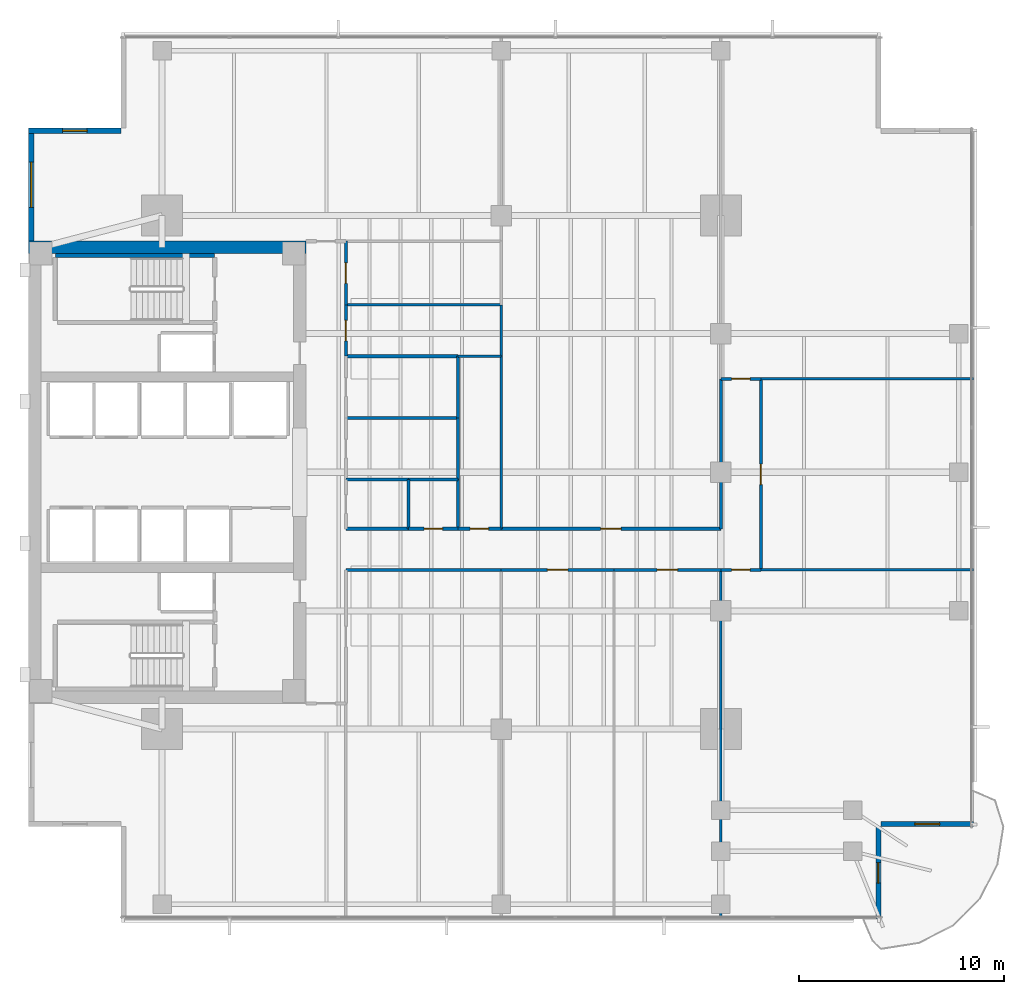
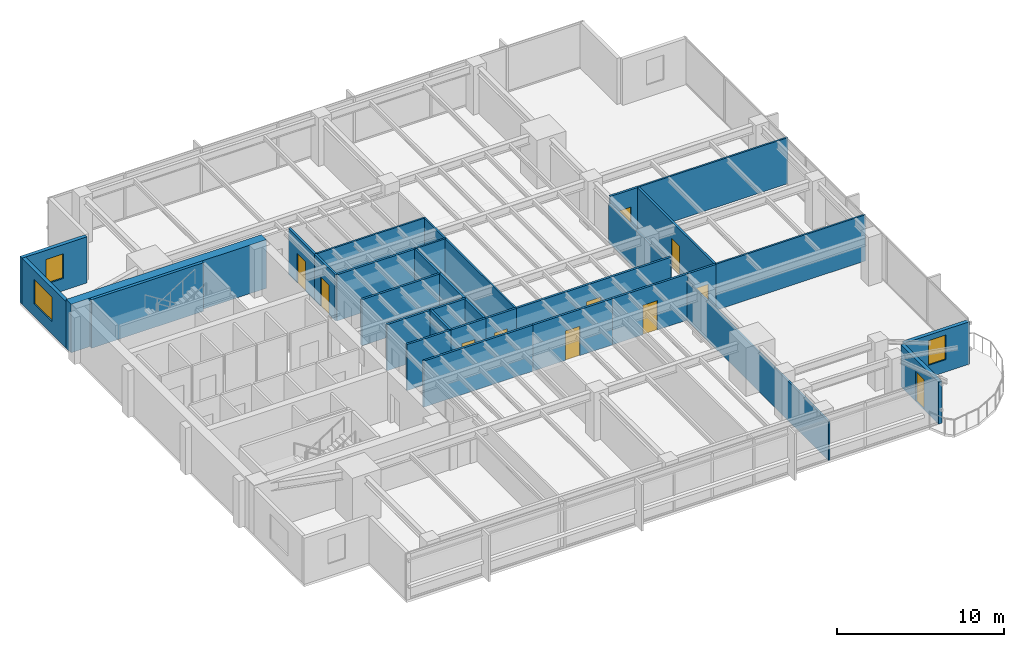
# One storey, part 9 of 15: 34 walls, 11 doors, 3 windows, 14 openings.
"""IFC4 building model written with IfcOpenShell, lengths in metres."""

from ifc_helpers import new_model, si_unit, direction, frame, frame_2d, origin, place, context, subcontext, project, spatial, rectangle, extrude, material, layer, layer_set, type_object, element, fill, save


model = new_model("IFC4")

# Units and contexts
model_context = context("Model", 3, precision=1e-05, world=origin(), true_north=direction((0.0, 1.0)))
body_context = subcontext(model_context, "Body", "Model", "MODEL_VIEW")
ifc_project = project(units=[si_unit("LENGTHUNIT", "METRE"), si_unit("AREAUNIT", "SQUARE_METRE"), si_unit("VOLUMEUNIT", "CUBIC_METRE"), si_unit("PLANEANGLEUNIT", "RADIAN"), si_unit("MASSUNIT", "GRAM", prefix="KILO")], contexts=[model_context])

# Site, building, storey
site_placement = place(None, origin())
site = spatial("IfcSite", under=ifc_project, at=site_placement, CompositionType="ELEMENT")
building_placement = place(site_placement, origin())
building = spatial("IfcBuilding", under=site, at=building_placement, Name="Kinhvarn Gate Tower", CompositionType="ELEMENT")
storey_placement = place(building_placement, frame((0.0, 0.0, 105.800048828125)))
storey = spatial("IfcBuildingStorey", under=building, at=storey_placement, Name="L27", CompositionType="ELEMENT", Elevation=105.800048828125)

# Wall
ifc_material_1 = material(Name="Concrete C60/75", Category="concrete")
ifc_layer_1 = layer(ifc_material_1, 0.60009765625)
ifc_layer_set_1 = layer_set([ifc_layer_1], Name="Concrete C60/75")
wall_type_1 = type_object("IfcWallType", Name="WL-CORE-600", PredefinedType="SHEAR", material=ifc_layer_set_1)
wall_1_placement = place(storey_placement, frame((4.5, 36.199951171875, 0.0), z_axis=(0.0, 0.0, 1.0), x_axis=(1.0, 0.0, 0.0)))
element("IfcWall", 1, at=wall_1_placement, inside=storey, type_object=wall_type_1, Name="Core North Shear Wall L27 600 mm", PredefinedType="SHEAR", context=body_context, shape_type="SweptSolid", body=[
    extrude(rectangle(XDim=13.5, YDim=0.60009765625, at=frame_2d((6.75, 0.0))), origin(), (0.0, 0.0, 1.0), 3.550048828125),
])

# Wall, opening, window
ifc_material_2 = material(Name="Fired architectural terracotta", Category="masonry")
ifc_layer_2 = layer(ifc_material_2, 0.25)
ifc_layer_set_2 = layer_set([ifc_layer_2], Name="Fired architectural terracotta")
wall_type_2 = type_object("IfcWallType", Name="WL-EXT-250", PredefinedType="SOLIDWALL", material=ifc_layer_set_2)
wall_2_placement = place(storey_placement, frame((4.625, 42.0, 0.0), z_axis=(0.0, 0.0, 1.0), x_axis=(0.0, -1.0, 0.0)))
wall_2 = element("IfcWall", 2, at=wall_2_placement, inside=storey, type_object=wall_type_2, Name="Exterior Solidwall Wall EW-250 (L27 West-North)", PredefinedType="SOLIDWALL", context=body_context, shape_type="SweptSolid", body=[
    extrude(rectangle(XDim=5.5, YDim=0.25, at=frame_2d((2.75, 0.0))), origin(), (0.0, 0.0, 1.0), 3.369873046875),
])
opening_1_placement = place(wall_2_placement, frame((1.64990234375, 0.0, 0.89990234375)))
opening_1 = element("IfcOpeningElement", 3, at=opening_1_placement, cuts=wall_2, Name="Opening WN-01", PredefinedType="OPENING", context=body_context, shape_type="SweptSolid", body=[
    extrude(rectangle(XDim=2.199951171875, YDim=1.800048828125, at=frame_2d((1.10009765625, 0.89990234375))), frame((0.0, 0.135009765625, 0.0), z_axis=(0.0, -1.0, 0.0), x_axis=(1.0, 0.0, 0.0)), (0.0, 0.0, 1.0), 0.27001953125),
])
ifc_material_3 = material(Name="Clear low-e double glazing", Category="glass")
window_type_1 = type_object("IfcWindowType", Name="WIN-RIB-2200", PartitioningType="SINGLE_PANEL", PredefinedType="WINDOW", material=ifc_material_3)
window_1_placement = place(opening_1_placement, origin())
window_1 = element("IfcWindow", 4, at=window_1_placement, inside=storey, type_object=window_type_1, Name="West Flank Double-Glazed Ribbon Window 2200x1800 mm (L27)", OverallHeight=1.800048828125, OverallWidth=2.199951171875, PartitioningType="SINGLE_PANEL", PredefinedType="WINDOW", context=body_context, shape_type="SweptSolid", body=[
    extrude(rectangle(XDim=2.199951171875, YDim=1.800048828125, at=frame_2d((1.10009765625, 0.89990234375))), frame((0.0, 0.030029296875, 0.0), z_axis=(0.0, -1.0, 0.0), x_axis=(1.0, 0.0, 0.0)), (0.0, 0.0, 1.0), 0.06005859375),
])
fill(opening_1, window_1)

# Wall, opening, door
wall_3_placement = place(storey_placement, frame((45.875, 3.5, 0.0), z_axis=(0.0, 0.0, 1.0), x_axis=(0.0, 1.0, 0.0)))
wall_3 = element("IfcWall", 5, at=wall_3_placement, inside=storey, type_object=wall_type_2, Name="Exterior Solidwall Wall EW-250 (L27 SE-Notch-Door)", PredefinedType="SOLIDWALL", context=body_context, shape_type="SweptSolid", body=[
    extrude(rectangle(XDim=4.5, YDim=0.25, at=frame_2d((2.25, 0.0))), origin(), (0.0, 0.0, 1.0), 3.070068359375),
])
opening_2_placement = place(wall_3_placement, frame((1.75, 0.0, 0.0)))
opening_2 = element("IfcOpeningElement", 6, at=opening_2_placement, cuts=wall_3, Name="Opening BD-01", PredefinedType="OPENING", context=body_context, shape_type="SweptSolid", body=[
    extrude(rectangle(XDim=1.0, YDim=2.199951171875, at=frame_2d((0.5, 1.10009765625))), frame((0.0, 0.135009765625, 0.0), z_axis=(0.0, -1.0, 0.0), x_axis=(1.0, 0.0, 0.0)), (0.0, 0.0, 1.0), 0.27001953125),
])
door_type_1 = type_object("IfcDoorType", Name="DR-BAL-1000", OperationType="NOTDEFINED", PredefinedType="DOOR", material=ifc_material_3)
door_1_placement = place(opening_2_placement, frame((1.0, 0.0, 0.0), z_axis=(0.0, 0.0, 1.0), x_axis=(-1.0, 0.0, 0.0)))
door_1 = element("IfcDoor", 7, at=door_1_placement, inside=storey, type_object=door_type_1, Name="S-Carve Balcony Door BD-01 (L27)", OperationType="SINGLE_SWING_LEFT", OverallHeight=2.199951171875, OverallWidth=1.0, PredefinedType="DOOR", context=body_context, shape_type="SweptSolid", body=[
    extrude(rectangle(XDim=1.0, YDim=2.199951171875, at=frame_2d((0.5, 1.10009765625))), frame((0.0, 0.02490234375, 0.0), z_axis=(0.0, -1.0, 0.0), x_axis=(1.0, 0.0, 0.0)), (0.0, 0.0, 1.0), 0.050048828125),
])
fill(opening_2, door_1)

# Wall, opening, window
wall_4_placement = place(storey_placement, frame((46.0, 8.125, 0.0), z_axis=(0.0, 0.0, 1.0), x_axis=(1.0, 0.0, 0.0)))
wall_4 = element("IfcWall", 8, at=wall_4_placement, inside=storey, type_object=wall_type_2, Name="Exterior Solidwall Wall EW-250 (L27 SE-Notch-Win)", PredefinedType="SOLIDWALL", context=body_context, shape_type="SweptSolid", body=[
    extrude(rectangle(XDim=4.5, YDim=0.25, at=frame_2d((2.25, 0.0))), origin(), (0.0, 0.0, 1.0), 3.099853515625),
])
opening_3_placement = place(wall_4_placement, frame((1.64990234375, 0.0, 0.89990234375)))
opening_3 = element("IfcOpeningElement", 9, at=opening_3_placement, cuts=wall_4, Name="Opening WN-02", PredefinedType="OPENING", context=body_context, shape_type="SweptSolid", body=[
    extrude(rectangle(XDim=1.199951171875, YDim=1.800048828125, at=frame_2d((0.60009765625, 0.89990234375))), frame((0.0, 0.135009765625, 0.0), z_axis=(0.0, -1.0, 0.0), x_axis=(1.0, 0.0, 0.0)), (0.0, 0.0, 1.0), 0.27001953125),
])
window_type_2 = type_object("IfcWindowType", Name="WIN-NTC-1200", PartitioningType="SINGLE_PANEL", PredefinedType="WINDOW", material=ifc_material_3)
window_2_placement = place(opening_3_placement, origin())
window_2 = element("IfcWindow", 10, at=window_2_placement, inside=storey, type_object=window_type_2, Name="Recessed Corner Notch Punched Window 1200x1800 mm (L27)", OverallHeight=1.800048828125, OverallWidth=1.199951171875, PartitioningType="SINGLE_PANEL", PredefinedType="WINDOW", context=body_context, shape_type="SweptSolid", body=[
    extrude(rectangle(XDim=1.199951171875, YDim=1.800048828125, at=frame_2d((0.60009765625, 0.89990234375))), frame((0.0, 0.030029296875, 0.0), z_axis=(0.0, -1.0, 0.0), x_axis=(1.0, 0.0, 0.0)), (0.0, 0.0, 1.0), 0.06005859375),
])
fill(opening_3, window_2)

wall_5_placement = place(storey_placement, frame((9.0, 41.875, 0.0), z_axis=(0.0, 0.0, 1.0), x_axis=(-1.0, 0.0, 0.0)))
wall_5 = element("IfcWall", 11, at=wall_5_placement, inside=storey, type_object=wall_type_2, Name="Exterior Solidwall Wall EW-250 (L27 NW-Notch-2)", PredefinedType="SOLIDWALL", context=body_context, shape_type="SweptSolid", body=[
    extrude(rectangle(XDim=4.5, YDim=0.25, at=frame_2d((2.25, 0.0))), origin(), (0.0, 0.0, 1.0), 3.369873046875),
])
opening_4_placement = place(wall_5_placement, frame((1.64990234375, 0.0, 0.89990234375)))
opening_4 = element("IfcOpeningElement", 12, at=opening_4_placement, cuts=wall_5, Name="Opening WN-02", PredefinedType="OPENING", context=body_context, shape_type="SweptSolid", body=[
    extrude(rectangle(XDim=1.199951171875, YDim=1.800048828125, at=frame_2d((0.60009765625, 0.89990234375))), frame((0.0, 0.135009765625, 0.0), z_axis=(0.0, -1.0, 0.0), x_axis=(1.0, 0.0, 0.0)), (0.0, 0.0, 1.0), 0.27001953125),
])
window_3_placement = place(opening_4_placement, origin())
window_3 = element("IfcWindow", 13, at=window_3_placement, inside=storey, type_object=window_type_2, Name="Recessed Corner Notch Punched Window 1200x1800 mm (L27)", OverallHeight=1.800048828125, OverallWidth=1.199951171875, PartitioningType="SINGLE_PANEL", PredefinedType="WINDOW", context=body_context, shape_type="SweptSolid", body=[
    extrude(rectangle(XDim=1.199951171875, YDim=1.800048828125, at=frame_2d((0.60009765625, 0.89990234375))), frame((0.0, 0.030029296875, 0.0), z_axis=(0.0, -1.0, 0.0), x_axis=(1.0, 0.0, 0.0)), (0.0, 0.0, 1.0), 0.06005859375),
])
fill(opening_4, window_3)

# Walls
ifc_material_4 = material(Name="Gypsum acoustic partition board")
ifc_layer_3 = layer(ifc_material_4, 0.14990234375)
ifc_layer_set_3 = layer_set([ifc_layer_3], Name="Gypsum acoustic partition board")
wall_type_3 = type_object("IfcWallType", Name="WL-PLM-150", PredefinedType="PLUMBINGWALL", material=ifc_layer_set_3)
wall_6_placement = place(storey_placement, frame((23.0, 22.5, 0.0), z_axis=(0.0, 0.0, 1.0), x_axis=(0.0, 1.0, 0.0)))
element("IfcWall", 14, at=wall_6_placement, inside=storey, type_object=wall_type_3, Name="Interior Partition PLW-150 (L27)", PredefinedType="PLUMBINGWALL", context=body_context, shape_type="SweptSolid", body=[
    extrude(rectangle(XDim=2.39990234375, YDim=0.14990234375, at=frame_2d((1.199951171875, 0.0))), origin(), (0.0, 0.0, 1.0), 3.369873046875),
])
wall_7_placement = place(storey_placement, frame((19.949951171875, 24.89990234375, 0.0), z_axis=(0.0, 0.0, 1.0), x_axis=(1.0, 0.0, 0.0)))
element("IfcWall", 15, at=wall_7_placement, inside=storey, type_object=wall_type_3, Name="Interior Partition PLW-150 (L27)", PredefinedType="PLUMBINGWALL", context=body_context, shape_type="SweptSolid", body=[
    extrude(rectangle(XDim=3.050048828125, YDim=0.14990234375, at=frame_2d((1.52490234375, 0.0))), origin(), (0.0, 0.0, 1.0), 3.369873046875),
])
for number, where, z_axis, x_axis, name in (
    (16, (23.0, 24.89990234375, 0.0), (0.0, 0.0, 1.0), (1.0, 0.0, 0.0), "Interior Partition PLW-150 (L27)"),
    (17, (25.39990234375, 22.5, 0.0), (0.0, 0.0, 1.0), (0.0, 1.0, 0.0), "Interior Partition PLW-150 (L27)"),
):
    element("IfcWall", number, at=place(storey_placement, frame(where, z_axis=z_axis, x_axis=x_axis)), inside=storey, type_object=wall_type_3, Name=name, PredefinedType="PLUMBINGWALL", context=body_context, shape_type="SweptSolid", body=[
        extrude(rectangle(XDim=2.39990234375, YDim=0.14990234375, at=frame_2d((1.199951171875, 0.0))), origin(), (0.0, 0.0, 1.0), 3.369873046875),
    ])
wall_8_placement = place(storey_placement, frame((19.949951171875, 27.89990234375, 0.0), z_axis=(0.0, 0.0, 1.0), x_axis=(1.0, 0.0, 0.0)))
element("IfcWall", 18, at=wall_8_placement, inside=storey, type_object=wall_type_3, Name="Interior Partition PLW-150 (L27)", PredefinedType="PLUMBINGWALL", context=body_context, shape_type="SweptSolid", body=[
    extrude(rectangle(XDim=5.449951171875, YDim=0.14990234375, at=frame_2d((2.72509765625, 0.0))), origin(), (0.0, 0.0, 1.0), 3.369873046875),
])
for number, where, z_axis, x_axis, name in (
    (19, (25.39990234375, 24.89990234375, 0.0), (0.0, 0.0, 1.0), (0.0, 1.0, 0.0), "Interior Partition PLW-150 (L27)"),
    (20, (25.39990234375, 27.89990234375, 0.0), (0.0, 0.0, 1.0), (0.0, 1.0, 0.0), "Interior Partition PLW-150 (L27)"),
):
    element("IfcWall", number, at=place(storey_placement, frame(where, z_axis=z_axis, x_axis=x_axis)), inside=storey, type_object=wall_type_3, Name=name, PredefinedType="PLUMBINGWALL", context=body_context, shape_type="SweptSolid", body=[
        extrude(rectangle(XDim=3.0, YDim=0.14990234375, at=frame_2d((1.5, 0.0))), origin(), (0.0, 0.0, 1.0), 3.369873046875),
    ])
wall_9_placement = place(storey_placement, frame((19.949951171875, 30.89990234375, 0.0), z_axis=(0.0, 0.0, 1.0), x_axis=(1.0, 0.0, 0.0)))
element("IfcWall", 21, at=wall_9_placement, inside=storey, type_object=wall_type_3, Name="Interior Partition PLW-150 (L27)", PredefinedType="PLUMBINGWALL", context=body_context, shape_type="SweptSolid", body=[
    extrude(rectangle(XDim=5.449951171875, YDim=0.14990234375, at=frame_2d((2.72509765625, 0.0))), origin(), (0.0, 0.0, 1.0), 3.369873046875),
])
ifc_layer_4 = layer(ifc_material_4, 0.14990234375)
ifc_layer_set_4 = layer_set([ifc_layer_4], Name="Gypsum acoustic partition board")
wall_type_4 = type_object("IfcWallType", Name="WL-PLM-150F", PredefinedType="PLUMBINGWALL", material=ifc_layer_set_4)
wall_10_placement = place(storey_placement, frame((19.949951171875, 22.5, 0.0), z_axis=(0.0, 0.0, 1.0), x_axis=(1.0, 0.0, 0.0)))
element("IfcWall", 22, at=wall_10_placement, inside=storey, type_object=wall_type_4, Name="Interior Partition PLW-150F (L27)", PredefinedType="PLUMBINGWALL", context=body_context, shape_type="SweptSolid", body=[
    extrude(rectangle(XDim=3.050048828125, YDim=0.14990234375, at=frame_2d((1.52490234375, 0.0))), origin(), (0.0, 0.0, 1.0), 3.369873046875),
])

# Wall, opening, door
wall_11_placement = place(storey_placement, frame((23.0, 22.5, 0.0), z_axis=(0.0, 0.0, 1.0), x_axis=(1.0, 0.0, 0.0)))
wall_11 = element("IfcWall", 23, at=wall_11_placement, inside=storey, type_object=wall_type_4, Name="Interior Partition PLW-150F (L27)", PredefinedType="PLUMBINGWALL", context=body_context, shape_type="SweptSolid", body=[
    extrude(rectangle(XDim=2.39990234375, YDim=0.14990234375, at=frame_2d((1.199951171875, 0.0))), origin(), (0.0, 0.0, 1.0), 3.369873046875),
])
opening_5_placement = place(wall_11_placement, frame((0.75, 0.0, 0.0)))
opening_5 = element("IfcOpeningElement", 24, at=opening_5_placement, cuts=wall_11, Name="Opening FD-04", PredefinedType="OPENING", context=body_context, shape_type="SweptSolid", body=[
    extrude(rectangle(XDim=0.89990234375, YDim=2.10009765625, at=frame_2d((0.449951171875, 1.050048828125))), frame((0.0, 0.0849609375, 0.0), z_axis=(0.0, -1.0, 0.0), x_axis=(1.0, 0.0, 0.0)), (0.0, 0.0, 1.0), 0.169921875),
])
ifc_material_5 = material(Name="Anodised aluminium AW-6063", Category="aluminium")
door_type_2 = type_object("IfcDoorType", Name="DR-FD-900", OperationType="NOTDEFINED", PredefinedType="DOOR", material=ifc_material_5)
door_2_placement = place(opening_5_placement, origin())
door_2 = element("IfcDoor", 25, at=door_2_placement, inside=storey, type_object=door_type_2, Name="Rated Riser & Service Closet Fire Door 900x2100 mm (L27)", OperationType="SINGLE_SWING_LEFT", OverallHeight=2.10009765625, OverallWidth=0.89990234375, PredefinedType="DOOR", context=body_context, shape_type="SweptSolid", body=[
    extrude(rectangle(XDim=0.89990234375, YDim=2.10009765625, at=frame_2d((0.449951171875, 1.050048828125))), frame((0.0, 0.02490234375, 0.0), z_axis=(0.0, -1.0, 0.0), x_axis=(1.0, 0.0, 0.0)), (0.0, 0.0, 1.0), 0.050048828125),
])
fill(opening_5, door_2)

# Walls
ifc_layer_5 = layer(ifc_material_4, 0.1201171875)
ifc_layer_set_5 = layer_set([ifc_layer_5], Name="Gypsum acoustic partition board")
wall_type_5 = type_object("IfcWallType", Name="WL-PRT-120", PredefinedType="PARTITIONING", material=ifc_layer_set_5)
wall_12_placement = place(storey_placement, frame((25.39990234375, 30.89990234375, 0.0), z_axis=(0.0, 0.0, 1.0), x_axis=(1.0, 0.0, 0.0)))
element("IfcWall", 26, at=wall_12_placement, inside=storey, type_object=wall_type_5, Name="Interior Partition PW-120 (L27)", PredefinedType="PARTITIONING", context=body_context, shape_type="SweptSolid", body=[
    extrude(rectangle(XDim=2.10009765625, YDim=0.1201171875, at=frame_2d((1.050048828125, 0.0))), origin(), (0.0, 0.0, 1.0), 3.369873046875),
])
wall_13_placement = place(storey_placement, frame((27.5, 22.5, 0.0), z_axis=(0.0, 0.0, 1.0), x_axis=(0.0, 1.0, 0.0)))
element("IfcWall", 27, at=wall_13_placement, inside=storey, type_object=wall_type_5, Name="Interior Partition PW-120 (L27)", PredefinedType="PARTITIONING", context=body_context, shape_type="SweptSolid", body=[
    extrude(rectangle(XDim=8.39990234375, YDim=0.1201171875, at=frame_2d((4.199951171875, 0.0))), origin(), (0.0, 0.0, 1.0), 3.369873046875),
])
wall_14_placement = place(storey_placement, frame((19.949951171875, 33.39990234375, 0.0), z_axis=(0.0, 0.0, 1.0), x_axis=(1.0, 0.0, 0.0)))
element("IfcWall", 28, at=wall_14_placement, inside=storey, type_object=wall_type_5, Name="Interior Partition PW-120 (L27)", PredefinedType="PARTITIONING", context=body_context, shape_type="SweptSolid", body=[
    extrude(rectangle(XDim=7.550048828125, YDim=0.1201171875, at=frame_2d((3.77490234375, 0.0))), origin(), (0.0, 0.0, 1.0), 3.369873046875),
])
wall_15_placement = place(storey_placement, frame((27.5, 30.89990234375, 0.0), z_axis=(0.0, 0.0, 1.0), x_axis=(0.0, 1.0, 0.0)))
element("IfcWall", 29, at=wall_15_placement, inside=storey, type_object=wall_type_5, Name="Interior Partition PW-120 (L27)", PredefinedType="PARTITIONING", context=body_context, shape_type="SweptSolid", body=[
    extrude(rectangle(XDim=2.5, YDim=0.1201171875, at=frame_2d((1.25, 0.0))), origin(), (0.0, 0.0, 1.0), 3.369873046875),
])
wall_16_placement = place(storey_placement, frame((38.199951171875, 3.510009765625, 0.0), z_axis=(0.0, 0.0, 1.0), x_axis=(0.0, 1.0, 0.0)))
element("IfcWall", 30, at=wall_16_placement, inside=storey, type_object=wall_type_5, Name="Interior Partition PW-120 (L27)", PredefinedType="PARTITIONING", context=body_context, shape_type="SweptSolid", body=[
    extrude(rectangle(XDim=16.989990234375, YDim=0.1201171875, at=frame_2d((8.4951171875, 0.0))), origin(), (0.0, 0.0, 1.0), 2.869873046875),
])
for number, where, z_axis, x_axis, name in (
    (31, (40.14990234375, 20.5, 0.0), (0.0, 0.0, 1.0), (1.0, 0.0, 0.0), "Interior Partition PW-120 (L27)"),
    (32, (40.14990234375, 29.800048828125, 0.0), (0.0, 0.0, 1.0), (1.0, 0.0, 0.0), "Interior Partition PW-120 (L27)"),
):
    element("IfcWall", number, at=place(storey_placement, frame(where, z_axis=z_axis, x_axis=x_axis)), inside=storey, type_object=wall_type_5, Name=name, PredefinedType="PARTITIONING", context=body_context, shape_type="SweptSolid", body=[
        extrude(rectangle(XDim=10.340087890625, YDim=0.1201171875, at=frame_2d((5.169921875, 0.0))), origin(), (0.0, 0.0, 1.0), 3.369873046875),
    ])

# Wall, opening, door
ifc_layer_6 = layer(ifc_material_4, 0.14990234375)
ifc_layer_set_6 = layer_set([ifc_layer_6], Name="Gypsum acoustic partition board")
wall_type_6 = type_object("IfcWallType", Name="WL-PRT-150F", PredefinedType="PARTITIONING", material=ifc_layer_set_6)
wall_17_placement = place(storey_placement, frame((19.949951171875, 30.89990234375, 0.0), z_axis=(0.0, 0.0, 1.0), x_axis=(0.0, 1.0, 0.0)))
wall_17 = element("IfcWall", 33, at=wall_17_placement, inside=storey, type_object=wall_type_6, Name="Interior Partition PW-150F (L27)", PredefinedType="PARTITIONING", context=body_context, shape_type="SweptSolid", body=[
    extrude(rectangle(XDim=2.5, YDim=0.14990234375, at=frame_2d((1.25, 0.0))), origin(), (0.0, 0.0, 1.0), 3.369873046875),
])
opening_6_placement = place(wall_17_placement, frame((0.75, 0.0, 0.0)))
opening_6 = element("IfcOpeningElement", 34, at=opening_6_placement, cuts=wall_17, Name="Opening ID-02", PredefinedType="OPENING", context=body_context, shape_type="SweptSolid", body=[
    extrude(rectangle(XDim=1.0, YDim=2.14990234375, at=frame_2d((0.5, 1.074951171875))), frame((0.0, 0.0849609375, 0.0), z_axis=(0.0, -1.0, 0.0), x_axis=(1.0, 0.0, 0.0)), (0.0, 0.0, 1.0), 0.169921875),
])
door_type_3 = type_object("IfcDoorType", Name="DR-INT-1000", OperationType="NOTDEFINED", PredefinedType="DOOR", material=ifc_material_5)
door_3_placement = place(opening_6_placement, origin())
door_3 = element("IfcDoor", 35, at=door_3_placement, inside=storey, type_object=door_type_3, Name="Standard Office & Meeting Room Door 1000x2150 mm (L27)", OperationType="SINGLE_SWING_RIGHT", OverallHeight=2.14990234375, OverallWidth=1.0, PredefinedType="DOOR", context=body_context, shape_type="SweptSolid", body=[
    extrude(rectangle(XDim=1.0, YDim=2.14990234375, at=frame_2d((0.5, 1.074951171875))), frame((0.0, 0.02490234375, 0.0), z_axis=(0.0, -1.0, 0.0), x_axis=(1.0, 0.0, 0.0)), (0.0, 0.0, 1.0), 0.050048828125),
])
fill(opening_6, door_3)

wall_18_placement = place(storey_placement, frame((19.949951171875, 33.39990234375, 0.0), z_axis=(0.0, 0.0, 1.0), x_axis=(0.0, 1.0, 0.0)))
wall_18 = element("IfcWall", 36, at=wall_18_placement, inside=storey, type_object=wall_type_6, Name="Interior Partition PW-150F (L27)", PredefinedType="PARTITIONING", context=body_context, shape_type="SweptSolid", body=[
    extrude(rectangle(XDim=3.10009765625, YDim=0.14990234375, at=frame_2d((1.550048828125, 0.0))), origin(), (0.0, 0.0, 1.0), 3.369873046875),
])
opening_7_placement = place(wall_18_placement, frame((1.050048828125, 0.0, 0.0)))
opening_7 = element("IfcOpeningElement", 37, at=opening_7_placement, cuts=wall_18, Name="Opening ID-02", PredefinedType="OPENING", context=body_context, shape_type="SweptSolid", body=[
    extrude(rectangle(XDim=1.0, YDim=2.14990234375, at=frame_2d((0.5, 1.074951171875))), frame((0.0, 0.0849609375, 0.0), z_axis=(0.0, -1.0, 0.0), x_axis=(1.0, 0.0, 0.0)), (0.0, 0.0, 1.0), 0.169921875),
])
door_4_placement = place(opening_7_placement, origin())
door_4 = element("IfcDoor", 38, at=door_4_placement, inside=storey, type_object=door_type_3, Name="Standard Office & Meeting Room Door 1000x2150 mm (L27)", OperationType="SINGLE_SWING_LEFT", OverallHeight=2.14990234375, OverallWidth=1.0, PredefinedType="DOOR", context=body_context, shape_type="SweptSolid", body=[
    extrude(rectangle(XDim=1.0, YDim=2.14990234375, at=frame_2d((0.5, 1.074951171875))), frame((0.0, 0.02490234375, 0.0), z_axis=(0.0, -1.0, 0.0), x_axis=(1.0, 0.0, 0.0)), (0.0, 0.0, 1.0), 0.050048828125),
])
fill(opening_7, door_4)

wall_19_placement = place(storey_placement, frame((25.39990234375, 22.5, 0.0), z_axis=(0.0, 0.0, 1.0), x_axis=(1.0, 0.0, 0.0)))
wall_19 = element("IfcWall", 39, at=wall_19_placement, inside=storey, type_object=wall_type_6, Name="Interior Partition PW-150F (L27)", PredefinedType="PARTITIONING", context=body_context, shape_type="SweptSolid", body=[
    extrude(rectangle(XDim=2.10009765625, YDim=0.14990234375, at=frame_2d((1.050048828125, 0.0))), origin(), (0.0, 0.0, 1.0), 3.369873046875),
])
opening_8_placement = place(wall_19_placement, frame((0.60009765625, 0.0, 0.0)))
opening_8 = element("IfcOpeningElement", 40, at=opening_8_placement, cuts=wall_19, Name="Opening ID-03", PredefinedType="OPENING", context=body_context, shape_type="SweptSolid", body=[
    extrude(rectangle(XDim=0.89990234375, YDim=2.10009765625, at=frame_2d((0.449951171875, 1.050048828125))), frame((0.0, 0.0849609375, 0.0), z_axis=(0.0, -1.0, 0.0), x_axis=(1.0, 0.0, 0.0)), (0.0, 0.0, 1.0), 0.169921875),
])
door_type_4 = type_object("IfcDoorType", Name="DR-INT-900", OperationType="NOTDEFINED", PredefinedType="DOOR", material=ifc_material_5)
door_5_placement = place(opening_8_placement, origin())
door_5 = element("IfcDoor", 41, at=door_5_placement, inside=storey, type_object=door_type_4, Name="Cellular Office & Restroom Door 900x2100 mm (L27)", OperationType="SINGLE_SWING_RIGHT", OverallHeight=2.10009765625, OverallWidth=0.89990234375, PredefinedType="DOOR", context=body_context, shape_type="SweptSolid", body=[
    extrude(rectangle(XDim=0.89990234375, YDim=2.10009765625, at=frame_2d((0.449951171875, 1.050048828125))), frame((0.0, 0.02490234375, 0.0), z_axis=(0.0, -1.0, 0.0), x_axis=(1.0, 0.0, 0.0)), (0.0, 0.0, 1.0), 0.050048828125),
])
fill(opening_8, door_5)

# Wall
wall_20_placement = place(storey_placement, frame((19.949951171875, 20.5, 0.0), z_axis=(0.0, 0.0, 1.0), x_axis=(1.0, 0.0, 0.0)))
element("IfcWall", 42, at=wall_20_placement, inside=storey, type_object=wall_type_6, Name="Interior Partition PW-150F (L27)", PredefinedType="PARTITIONING", context=body_context, shape_type="SweptSolid", body=[
    extrude(rectangle(XDim=7.550048828125, YDim=0.14990234375, at=frame_2d((3.77490234375, 0.0))), origin(), (0.0, 0.0, 1.0), 3.369873046875),
])

# Wall, opening, door
wall_21_placement = place(storey_placement, frame((27.5, 20.5, 0.0), z_axis=(0.0, 0.0, 1.0), x_axis=(1.0, 0.0, 0.0)))
wall_21 = element("IfcWall", 43, at=wall_21_placement, inside=storey, type_object=wall_type_6, Name="Interior Partition PW-150F (L27)", PredefinedType="PARTITIONING", context=body_context, shape_type="SweptSolid", body=[
    extrude(rectangle(XDim=5.5, YDim=0.14990234375, at=frame_2d((2.75, 0.0))), origin(), (0.0, 0.0, 1.0), 3.369873046875),
])
opening_9_placement = place(wall_21_placement, frame((2.25, 0.0, 0.0)))
opening_9 = element("IfcOpeningElement", 44, at=opening_9_placement, cuts=wall_21, Name="Opening ID-02", PredefinedType="OPENING", context=body_context, shape_type="SweptSolid", body=[
    extrude(rectangle(XDim=1.0, YDim=2.14990234375, at=frame_2d((0.5, 1.074951171875))), frame((0.0, 0.0849609375, 0.0), z_axis=(0.0, -1.0, 0.0), x_axis=(1.0, 0.0, 0.0)), (0.0, 0.0, 1.0), 0.169921875),
])
door_6_placement = place(opening_9_placement, origin())
door_6 = element("IfcDoor", 45, at=door_6_placement, inside=storey, type_object=door_type_3, Name="Standard Office & Meeting Room Door 1000x2150 mm (L27)", OperationType="SINGLE_SWING_LEFT", OverallHeight=2.14990234375, OverallWidth=1.0, PredefinedType="DOOR", context=body_context, shape_type="SweptSolid", body=[
    extrude(rectangle(XDim=1.0, YDim=2.14990234375, at=frame_2d((0.5, 1.074951171875))), frame((0.0, 0.02490234375, 0.0), z_axis=(0.0, -1.0, 0.0), x_axis=(1.0, 0.0, 0.0)), (0.0, 0.0, 1.0), 0.050048828125),
])
fill(opening_9, door_6)

wall_22_placement = place(storey_placement, frame((33.0, 20.5, 0.0), z_axis=(0.0, 0.0, 1.0), x_axis=(1.0, 0.0, 0.0)))
wall_22 = element("IfcWall", 46, at=wall_22_placement, inside=storey, type_object=wall_type_6, Name="Interior Partition PW-150F (L27)", PredefinedType="PARTITIONING", context=body_context, shape_type="SweptSolid", body=[
    extrude(rectangle(XDim=5.199951171875, YDim=0.14990234375, at=frame_2d((2.60009765625, 0.0))), origin(), (0.0, 0.0, 1.0), 3.369873046875),
])
opening_10_placement = place(wall_22_placement, frame((2.10009765625, 0.0, 0.0)))
opening_10 = element("IfcOpeningElement", 47, at=opening_10_placement, cuts=wall_22, Name="Opening ID-02", PredefinedType="OPENING", context=body_context, shape_type="SweptSolid", body=[
    extrude(rectangle(XDim=1.0, YDim=2.14990234375, at=frame_2d((0.5, 1.074951171875))), frame((0.0, 0.0849609375, 0.0), z_axis=(0.0, -1.0, 0.0), x_axis=(1.0, 0.0, 0.0)), (0.0, 0.0, 1.0), 0.169921875),
])
door_7_placement = place(opening_10_placement, origin())
door_7 = element("IfcDoor", 48, at=door_7_placement, inside=storey, type_object=door_type_3, Name="Standard Office & Meeting Room Door 1000x2150 mm (L27)", OperationType="SINGLE_SWING_RIGHT", OverallHeight=2.14990234375, OverallWidth=1.0, PredefinedType="DOOR", context=body_context, shape_type="SweptSolid", body=[
    extrude(rectangle(XDim=1.0, YDim=2.14990234375, at=frame_2d((0.5, 1.074951171875))), frame((0.0, 0.02490234375, 0.0), z_axis=(0.0, -1.0, 0.0), x_axis=(1.0, 0.0, 0.0)), (0.0, 0.0, 1.0), 0.050048828125),
])
fill(opening_10, door_7)

wall_23_placement = place(storey_placement, frame((27.5, 22.5, 0.0), z_axis=(0.0, 0.0, 1.0), x_axis=(1.0, 0.0, 0.0)))
wall_23 = element("IfcWall", 49, at=wall_23_placement, inside=storey, type_object=wall_type_6, Name="Interior Partition PW-150F (L27)", PredefinedType="PARTITIONING", context=body_context, shape_type="SweptSolid", body=[
    extrude(rectangle(XDim=10.699951171875, YDim=0.14990234375, at=frame_2d((5.35009765625, 0.0))), origin(), (0.0, 0.0, 1.0), 3.369873046875),
])
opening_11_placement = place(wall_23_placement, frame((4.85009765625, 0.0, 0.0)))
opening_11 = element("IfcOpeningElement", 50, at=opening_11_placement, cuts=wall_23, Name="Opening ID-02", PredefinedType="OPENING", context=body_context, shape_type="SweptSolid", body=[
    extrude(rectangle(XDim=1.0, YDim=2.14990234375, at=frame_2d((0.5, 1.074951171875))), frame((0.0, 0.0849609375, 0.0), z_axis=(0.0, -1.0, 0.0), x_axis=(1.0, 0.0, 0.0)), (0.0, 0.0, 1.0), 0.169921875),
])
door_8_placement = place(opening_11_placement, origin())
door_8 = element("IfcDoor", 51, at=door_8_placement, inside=storey, type_object=door_type_3, Name="Standard Office & Meeting Room Door 1000x2150 mm (L27)", OperationType="SINGLE_SWING_LEFT", OverallHeight=2.14990234375, OverallWidth=1.0, PredefinedType="DOOR", context=body_context, shape_type="SweptSolid", body=[
    extrude(rectangle(XDim=1.0, YDim=2.14990234375, at=frame_2d((0.5, 1.074951171875))), frame((0.0, 0.02490234375, 0.0), z_axis=(0.0, -1.0, 0.0), x_axis=(1.0, 0.0, 0.0)), (0.0, 0.0, 1.0), 0.050048828125),
])
fill(opening_11, door_8)

# Wall
wall_24_placement = place(storey_placement, frame((38.199951171875, 22.5, 0.0), z_axis=(0.0, 0.0, 1.0), x_axis=(0.0, 1.0, 0.0)))
element("IfcWall", 52, at=wall_24_placement, inside=storey, type_object=wall_type_6, Name="Interior Partition PW-150F (L27)", PredefinedType="PARTITIONING", context=body_context, shape_type="SweptSolid", body=[
    extrude(rectangle(XDim=7.300048828125, YDim=0.14990234375, at=frame_2d((3.64990234375, 0.0))), origin(), (0.0, 0.0, 1.0), 2.869873046875),
])

# Wall, opening, door
wall_25_placement = place(storey_placement, frame((38.199951171875, 20.5, 0.0), z_axis=(0.0, 0.0, 1.0), x_axis=(1.0, 0.0, 0.0)))
wall_25 = element("IfcWall", 53, at=wall_25_placement, inside=storey, type_object=wall_type_6, Name="Interior Partition PW-150F (L27)", PredefinedType="PARTITIONING", context=body_context, shape_type="SweptSolid", body=[
    extrude(rectangle(XDim=1.949951171875, YDim=0.14990234375, at=frame_2d((0.97509765625, 0.0))), origin(), (0.0, 0.0, 1.0), 3.369873046875),
])
opening_12_placement = place(wall_25_placement, frame((0.52490234375, 0.0, 0.0)))
opening_12 = element("IfcOpeningElement", 54, at=opening_12_placement, cuts=wall_25, Name="Opening ID-03", PredefinedType="OPENING", context=body_context, shape_type="SweptSolid", body=[
    extrude(rectangle(XDim=0.89990234375, YDim=2.10009765625, at=frame_2d((0.449951171875, 1.050048828125))), frame((0.0, 0.0849609375, 0.0), z_axis=(0.0, -1.0, 0.0), x_axis=(1.0, 0.0, 0.0)), (0.0, 0.0, 1.0), 0.169921875),
])
door_9_placement = place(opening_12_placement, origin())
door_9 = element("IfcDoor", 55, at=door_9_placement, inside=storey, type_object=door_type_4, Name="Cellular Office & Restroom Door 900x2100 mm (L27)", OperationType="SINGLE_SWING_RIGHT", OverallHeight=2.10009765625, OverallWidth=0.89990234375, PredefinedType="DOOR", context=body_context, shape_type="SweptSolid", body=[
    extrude(rectangle(XDim=0.89990234375, YDim=2.10009765625, at=frame_2d((0.449951171875, 1.050048828125))), frame((0.0, 0.02490234375, 0.0), z_axis=(0.0, -1.0, 0.0), x_axis=(1.0, 0.0, 0.0)), (0.0, 0.0, 1.0), 0.050048828125),
])
fill(opening_12, door_9)

wall_26_placement = place(storey_placement, frame((40.14990234375, 20.5, 0.0), z_axis=(0.0, 0.0, 1.0), x_axis=(0.0, 1.0, 0.0)))
wall_26 = element("IfcWall", 56, at=wall_26_placement, inside=storey, type_object=wall_type_6, Name="Interior Partition PW-150F (L27)", PredefinedType="PARTITIONING", context=body_context, shape_type="SweptSolid", body=[
    extrude(rectangle(XDim=9.300048828125, YDim=0.14990234375, at=frame_2d((4.64990234375, 0.0))), origin(), (0.0, 0.0, 1.0), 3.369873046875),
])
opening_13_placement = place(wall_26_placement, frame((4.14990234375, 0.0, 0.0)))
opening_13 = element("IfcOpeningElement", 57, at=opening_13_placement, cuts=wall_26, Name="Opening ID-02", PredefinedType="OPENING", context=body_context, shape_type="SweptSolid", body=[
    extrude(rectangle(XDim=1.0, YDim=2.14990234375, at=frame_2d((0.5, 1.074951171875))), frame((0.0, 0.0849609375, 0.0), z_axis=(0.0, -1.0, 0.0), x_axis=(1.0, 0.0, 0.0)), (0.0, 0.0, 1.0), 0.169921875),
])
door_10_placement = place(opening_13_placement, origin())
door_10 = element("IfcDoor", 58, at=door_10_placement, inside=storey, type_object=door_type_3, Name="Standard Office & Meeting Room Door 1000x2150 mm (L27)", OperationType="SINGLE_SWING_LEFT", OverallHeight=2.14990234375, OverallWidth=1.0, PredefinedType="DOOR", context=body_context, shape_type="SweptSolid", body=[
    extrude(rectangle(XDim=1.0, YDim=2.14990234375, at=frame_2d((0.5, 1.074951171875))), frame((0.0, 0.02490234375, 0.0), z_axis=(0.0, -1.0, 0.0), x_axis=(1.0, 0.0, 0.0)), (0.0, 0.0, 1.0), 0.050048828125),
])
fill(opening_13, door_10)

wall_27_placement = place(storey_placement, frame((38.199951171875, 29.800048828125, 0.0), z_axis=(0.0, 0.0, 1.0), x_axis=(1.0, 0.0, 0.0)))
wall_27 = element("IfcWall", 59, at=wall_27_placement, inside=storey, type_object=wall_type_6, Name="Interior Partition PW-150F (L27)", PredefinedType="PARTITIONING", context=body_context, shape_type="SweptSolid", body=[
    extrude(rectangle(XDim=1.949951171875, YDim=0.14990234375, at=frame_2d((0.97509765625, 0.0))), origin(), (0.0, 0.0, 1.0), 3.369873046875),
])
opening_14_placement = place(wall_27_placement, frame((0.52490234375, 0.0, 0.0)))
opening_14 = element("IfcOpeningElement", 60, at=opening_14_placement, cuts=wall_27, Name="Opening ID-03", PredefinedType="OPENING", context=body_context, shape_type="SweptSolid", body=[
    extrude(rectangle(XDim=0.89990234375, YDim=2.10009765625, at=frame_2d((0.449951171875, 1.050048828125))), frame((0.0, 0.0849609375, 0.0), z_axis=(0.0, -1.0, 0.0), x_axis=(1.0, 0.0, 0.0)), (0.0, 0.0, 1.0), 0.169921875),
])
door_11_placement = place(opening_14_placement, origin())
door_11 = element("IfcDoor", 61, at=door_11_placement, inside=storey, type_object=door_type_4, Name="Cellular Office & Restroom Door 900x2100 mm (L27)", OperationType="SINGLE_SWING_RIGHT", OverallHeight=2.10009765625, OverallWidth=0.89990234375, PredefinedType="DOOR", context=body_context, shape_type="SweptSolid", body=[
    extrude(rectangle(XDim=0.89990234375, YDim=2.10009765625, at=frame_2d((0.449951171875, 1.050048828125))), frame((0.0, 0.02490234375, 0.0), z_axis=(0.0, -1.0, 0.0), x_axis=(1.0, 0.0, 0.0)), (0.0, 0.0, 1.0), 0.050048828125),
])
fill(opening_14, door_11)

# Wall
ifc_material_6 = material(Name="Concrete C40/50", Category="concrete")
ifc_layer_7 = layer(ifc_material_6, 0.199951171875)
ifc_layer_set_7 = layer_set([ifc_layer_7], Name="Concrete C40/50")
wall_type_7 = type_object("IfcWallType", Name="WL-SHF-200", PredefinedType="SOLIDWALL", material=ifc_layer_set_7)
wall_28_placement = place(storey_placement, frame((5.800048828125, 35.800048828125, 0.0), z_axis=(0.0, 0.0, 1.0), x_axis=(1.0, 0.0, 0.0)))
element("IfcWall", 62, at=wall_28_placement, inside=storey, type_object=wall_type_7, Name="Stair ST2 North Shaft Wall (L27)", PredefinedType="SOLIDWALL", context=body_context, shape_type="SweptSolid", body=[
    extrude(rectangle(XDim=7.75, YDim=0.199951171875, at=frame_2d((3.875, 0.0))), origin(), (0.0, 0.0, 1.0), 3.550048828125),
])

save(model, "model.ifc")
